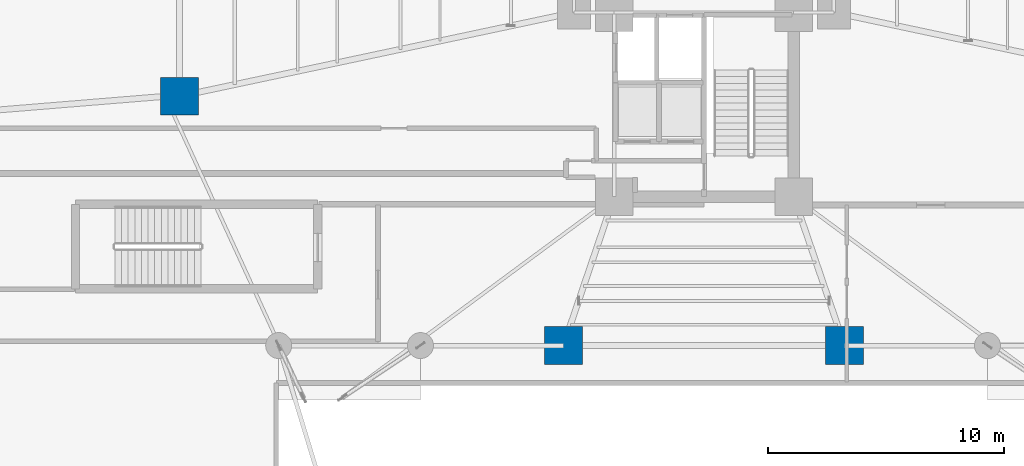
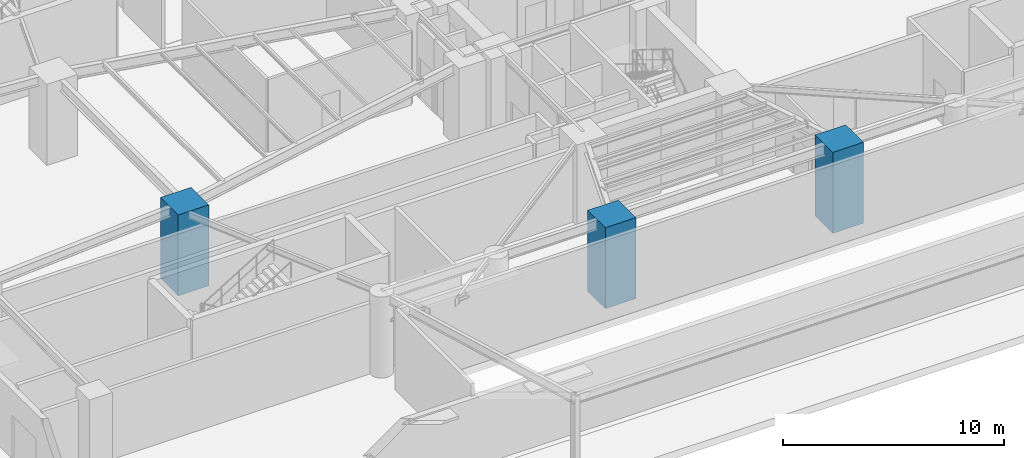
# One storey, part 2 of 31: 3 columns.
"""IFC4 building model written with IfcOpenShell, lengths in metres."""

from ifc_helpers import new_model, si_unit, direction, frame, origin, origin_2d, place, context, subcontext, project, spatial, rectangle, extrude, source, transform, mapped, material, material_profile, profile_set, type_object, element, save


model = new_model("IFC4")

# Units and contexts
model_context = context("Model", 3, precision=1e-05, world=origin(), true_north=direction((0.0, 1.0)))
body_context = subcontext(model_context, "Body", "Model", "MODEL_VIEW")
ifc_project = project(units=[si_unit("LENGTHUNIT", "METRE"), si_unit("AREAUNIT", "SQUARE_METRE"), si_unit("VOLUMEUNIT", "CUBIC_METRE"), si_unit("PLANEANGLEUNIT", "RADIAN"), si_unit("MASSUNIT", "GRAM", prefix="KILO")], contexts=[model_context])

# Site, building, storey
site_placement = place(None, origin())
site = spatial("IfcSite", under=ifc_project, at=site_placement, CompositionType="ELEMENT")
building_placement = place(site_placement, origin())
building = spatial("IfcBuilding", under=site, at=building_placement, Name="Sahyath Konkavel Grand Hotel", CompositionType="ELEMENT")
storey_placement = place(building_placement, origin())
storey = spatial("IfcBuildingStorey", under=building, at=storey_placement, Name="L00", CompositionType="ELEMENT", Elevation=0.0)

# Columns
ifc_material = material(Name="Concrete C70/85", Category="concrete")
ifc_material_profile = material_profile(ifc_material, rectangle(XDim=1.60009765625, YDim=1.60009765625, at=origin_2d()), Name="RC 1600x1600")
ifc_profile_set = profile_set([ifc_material_profile], Name="Concrete C70/85")
column_type = type_object("IfcColumnType", Name="COL-RC1600", PredefinedType="COLUMN", material=ifc_profile_set)
shared_shape = source(origin(), body_context, "Body", "SweptSolid", [
    extrude(rectangle(XDim=1.60009765625, YDim=1.60009765625, at=origin_2d()), origin(), (0.0, 0.0, 1.0), 4.47998046875),
])
for number, where, z_axis, x_axis, name in (
    (1, (-22.199951171875, -5.949951171875, 0.0), (0.0, 0.0, 1.0), (1.0, 0.0, 0.0), "L00 Ballroom Mega-Column MC-WB"),
    (2, (-5.949951171875, -16.5, 0.0), (0.0, 0.0, 1.0), (1.0, 0.0, 0.0), "L00 Ballroom Mega-Column MC-SA"),
    (3, (5.949951171875, -16.5, 0.0), (0.0, 0.0, 1.0), (1.0, 0.0, 0.0), "L00 Ballroom Mega-Column MC-SB"),
):
    element("IfcColumn", number, at=place(storey_placement, frame(where, z_axis=z_axis, x_axis=x_axis)), inside=storey, type_object=column_type, Name=name, PredefinedType="COLUMN", context=body_context, shape_type="MappedRepresentation", body=[
        mapped(shared_shape, transform((0.0, 0.0, 0.0), scale=1.0)),
    ])

save(model, "model.ifc")
